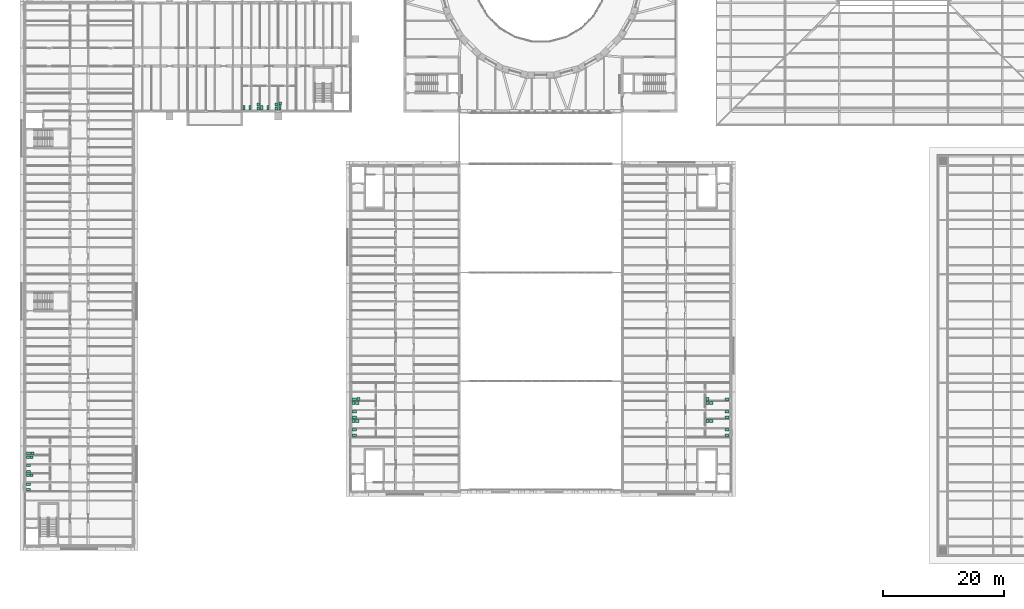
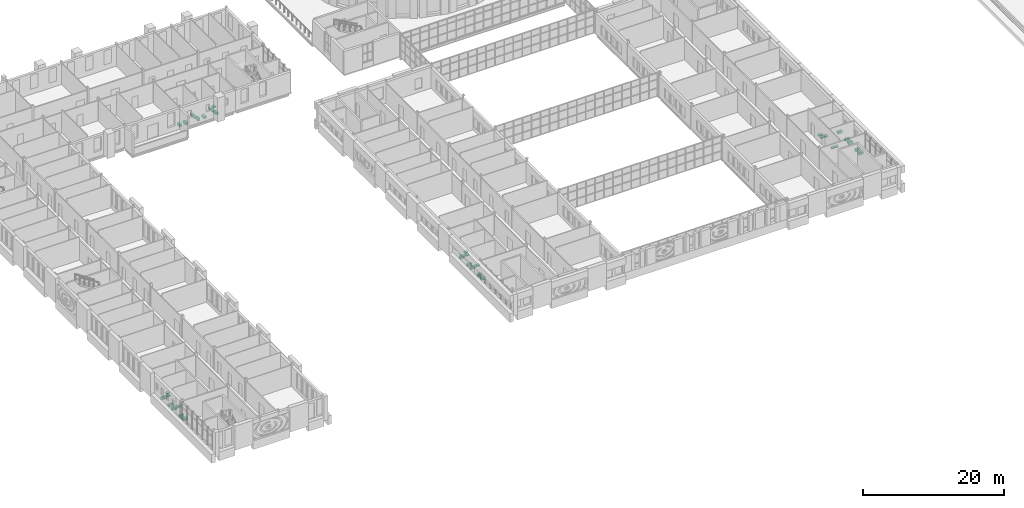
# One storey, part 154 of 154: 40 sanitary terminals.
"""IFC4 building model written with IfcOpenShell, lengths in metres."""

from ifc_helpers import new_model, si_unit, direction, frame, origin, origin_2d, place, context, subcontext, project, spatial, rectangle, extrude, material, type_object, element, save


model = new_model("IFC4")

# Units and contexts
model_context = context("Model", 3, precision=1e-05, world=origin(), true_north=direction((0.0, 1.0)))
body_context = subcontext(model_context, "Body", "Model", "MODEL_VIEW")
ifc_project = project(units=[si_unit("LENGTHUNIT", "METRE"), si_unit("AREAUNIT", "SQUARE_METRE"), si_unit("VOLUMEUNIT", "CUBIC_METRE"), si_unit("PLANEANGLEUNIT", "RADIAN"), si_unit("MASSUNIT", "GRAM", prefix="KILO")], contexts=[model_context])

# Site, building, storey
site_placement = place(None, origin())
site = spatial("IfcSite", under=ifc_project, at=site_placement, CompositionType="ELEMENT")
building_placement = place(site_placement, origin())
building = spatial("IfcBuilding", under=site, at=building_placement, Name="Golden Quay Civic Hall", CompositionType="ELEMENT")
storey_placement = place(building_placement, frame((0.0, 0.0, 14.39990234375)))
storey = spatial("IfcBuildingStorey", under=building, at=storey_placement, Name="L03", CompositionType="ELEMENT", Elevation=14.39990234375)

# Sanitary terminals
ifc_material_1 = material(Name="Ceramic")
sanitary_terminal_type_1 = type_object("IfcSanitaryTerminalType", Name="Toilet pan", PredefinedType="TOILETPAN", material=ifc_material_1)
for number, where, z_axis, x_axis, name in (
    (1, (116.39990234375, 9.324951171875, 0.000244140625), (0.0, 0.0, 1.0), (0.0, 1.0, 0.0), "Toilet pan"),
    (2, (116.39990234375, 10.22509765625, 0.000244140625), (0.0, 0.0, 1.0), (0.0, 1.0, 0.0), "Toilet pan"),
    (3, (116.39990234375, 12.300048828125, 0.000244140625), (0.0, 0.0, 1.0), (0.0, 1.0, 0.0), "Toilet pan"),
    (4, (116.39990234375, 13.199951171875, 0.000244140625), (0.0, 0.0, 1.0), (0.0, 1.0, 0.0), "Toilet pan"),
    (5, (116.39990234375, 15.300048828125, 0.000244140625), (0.0, 0.0, 1.0), (0.0, 1.0, 0.0), "Toilet pan"),
    (6, (36.324951171875, 63.60009765625, 0.000244140625), (0.0, 0.0, 1.0), (1.0, 0.0, 0.0), "Toilet pan"),
    (7, (37.324951171875, 63.60009765625, 0.000244140625), (0.0, 0.0, 1.0), (1.0, 0.0, 0.0), "Toilet pan"),
    (8, (39.300048828125, 63.60009765625, 0.000244140625), (0.0, 0.0, 1.0), (1.0, 0.0, 0.0), "Toilet pan"),
    (9, (40.300048828125, 63.60009765625, 0.000244140625), (0.0, 0.0, 1.0), (1.0, 0.0, 0.0), "Toilet pan"),
    (10, (42.300048828125, 63.60009765625, 0.000244140625), (0.0, 0.0, 1.0), (1.0, 0.0, 0.0), "Toilet pan"),
    (11, (54.60009765625, 9.324951171875, 0.000244140625), (0.0, 0.0, 1.0), (0.0, 1.0, 0.0), "Toilet pan"),
    (12, (54.60009765625, 10.22509765625, 0.000244140625), (0.0, 0.0, 1.0), (0.0, 1.0, 0.0), "Toilet pan"),
    (13, (54.60009765625, 12.300048828125, 0.000244140625), (0.0, 0.0, 1.0), (0.0, 1.0, 0.0), "Toilet pan"),
    (14, (54.60009765625, 13.199951171875, 0.000244140625), (0.0, 0.0, 1.0), (0.0, 1.0, 0.0), "Toilet pan"),
    (15, (54.60009765625, 15.300048828125, 0.000244140625), (0.0, 0.0, 1.0), (0.0, 1.0, 0.0), "Toilet pan"),
    (16, (0.60009765625, 0.324951171875, 0.000244140625), (0.0, 0.0, 1.0), (0.0, 1.0, 0.0), "Toilet pan"),
    (17, (0.60009765625, 1.22509765625, 0.000244140625), (0.0, 0.0, 1.0), (0.0, 1.0, 0.0), "Toilet pan"),
    (18, (0.60009765625, 3.300048828125, 0.000244140625), (0.0, 0.0, 1.0), (0.0, 1.0, 0.0), "Toilet pan"),
    (19, (0.60009765625, 4.300048828125, 0.000244140625), (0.0, 0.0, 1.0), (0.0, 1.0, 0.0), "Toilet pan"),
    (20, (0.60009765625, 6.300048828125, 0.000244140625), (0.0, 0.0, 1.0), (0.0, 1.0, 0.0), "Toilet pan"),
):
    element("IfcSanitaryTerminal", number, at=place(storey_placement, frame(where, z_axis=z_axis, x_axis=x_axis)), inside=storey, type_object=sanitary_terminal_type_1, Name=name, PredefinedType="TOILETPAN", context=body_context, shape_type="SweptSolid", body=[
        extrude(rectangle(XDim=0.39990234375, YDim=0.699951171875, at=origin_2d()), origin(), (0.0, 0.0, 1.0), 0.39990234375),
    ])
ifc_material_2 = material(Name="Ceramic")
sanitary_terminal_type_2 = type_object("IfcSanitaryTerminalType", Name="Wash basin", PredefinedType="WASHHANDBASIN", material=ifc_material_2)
for number, where, z_axis, x_axis, name in (
    (21, (113.175048828125, 11.675048828125, 0.7001953125), (0.0, 0.0, 1.0), (1.0, 0.0, 0.0), "Wash basin"),
    (22, (113.77490234375, 11.675048828125, 0.7001953125), (0.0, 0.0, 1.0), (1.0, 0.0, 0.0), "Wash basin"),
    (23, (113.175048828125, 14.675048828125, 0.7001953125), (0.0, 0.0, 1.0), (1.0, 0.0, 0.0), "Wash basin"),
    (24, (113.77490234375, 14.675048828125, 0.7001953125), (0.0, 0.0, 1.0), (1.0, 0.0, 0.0), "Wash basin"),
    (25, (113.175048828125, 15.324951171875, 0.7001953125), (0.0, 0.0, 1.0), (1.0, 0.0, 0.0), "Wash basin"),
    (26, (38.675048828125, 63.5, 0.7001953125), (0.0, 0.0, 1.0), (0.0, 1.0, 0.0), "Wash basin"),
    (27, (38.675048828125, 64.10009765625, 0.7001953125), (0.0, 0.0, 1.0), (0.0, 1.0, 0.0), "Wash basin"),
    (28, (41.675048828125, 63.5, 0.7001953125), (0.0, 0.0, 1.0), (0.0, 1.0, 0.0), "Wash basin"),
    (29, (41.675048828125, 64.10009765625, 0.7001953125), (0.0, 0.0, 1.0), (0.0, 1.0, 0.0), "Wash basin"),
    (30, (42.324951171875, 64.300048828125, 0.7001953125), (0.0, 0.0, 1.0), (0.0, 1.0, 0.0), "Wash basin"),
    (31, (54.5, 11.675048828125, 0.7001953125), (0.0, 0.0, 1.0), (1.0, 0.0, 0.0), "Wash basin"),
    (32, (55.10009765625, 11.675048828125, 0.7001953125), (0.0, 0.0, 1.0), (1.0, 0.0, 0.0), "Wash basin"),
    (33, (54.5, 14.675048828125, 0.7001953125), (0.0, 0.0, 1.0), (1.0, 0.0, 0.0), "Wash basin"),
    (34, (55.10009765625, 14.675048828125, 0.7001953125), (0.0, 0.0, 1.0), (1.0, 0.0, 0.0), "Wash basin"),
    (35, (55.300048828125, 15.324951171875, 0.7001953125), (0.0, 0.0, 1.0), (1.0, 0.0, 0.0), "Wash basin"),
    (36, (0.5, 2.675048828125, 0.7001953125), (0.0, 0.0, 1.0), (1.0, 0.0, 0.0), "Wash basin"),
    (37, (1.10009765625, 2.675048828125, 0.7001953125), (0.0, 0.0, 1.0), (1.0, 0.0, 0.0), "Wash basin"),
    (38, (0.5, 5.675048828125, 0.7001953125), (0.0, 0.0, 1.0), (1.0, 0.0, 0.0), "Wash basin"),
    (39, (1.10009765625, 5.675048828125, 0.7001953125), (0.0, 0.0, 1.0), (1.0, 0.0, 0.0), "Wash basin"),
    (40, (1.300048828125, 6.324951171875, 0.7001953125), (0.0, 0.0, 1.0), (1.0, 0.0, 0.0), "Wash basin"),
):
    element("IfcSanitaryTerminal", number, at=place(storey_placement, frame(where, z_axis=z_axis, x_axis=x_axis)), inside=storey, type_object=sanitary_terminal_type_2, Name=name, PredefinedType="WASHHANDBASIN", context=body_context, shape_type="SweptSolid", body=[
        extrude(rectangle(XDim=0.5, YDim=0.449951171875, at=origin_2d()), origin(), (0.0, 0.0, 1.0), 0.199951171875),
    ])

save(model, "model.ifc")
